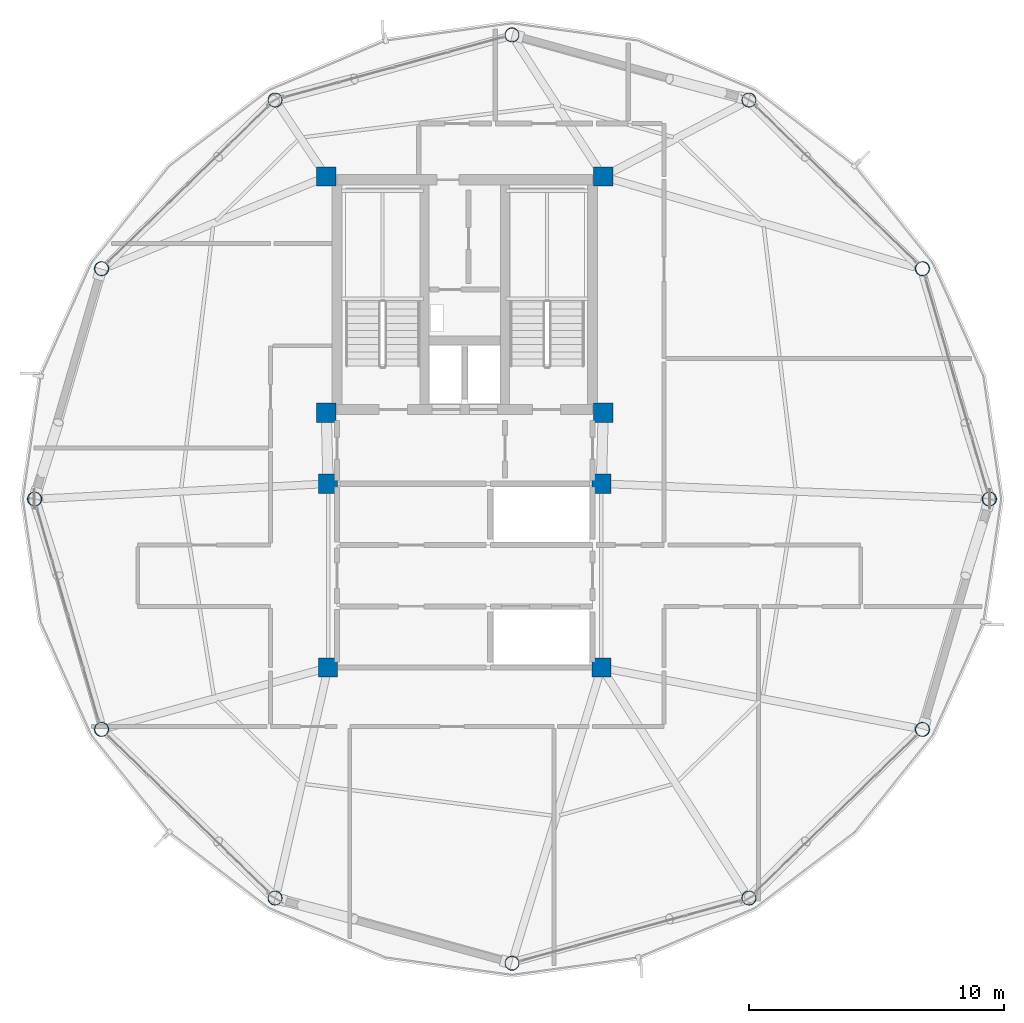
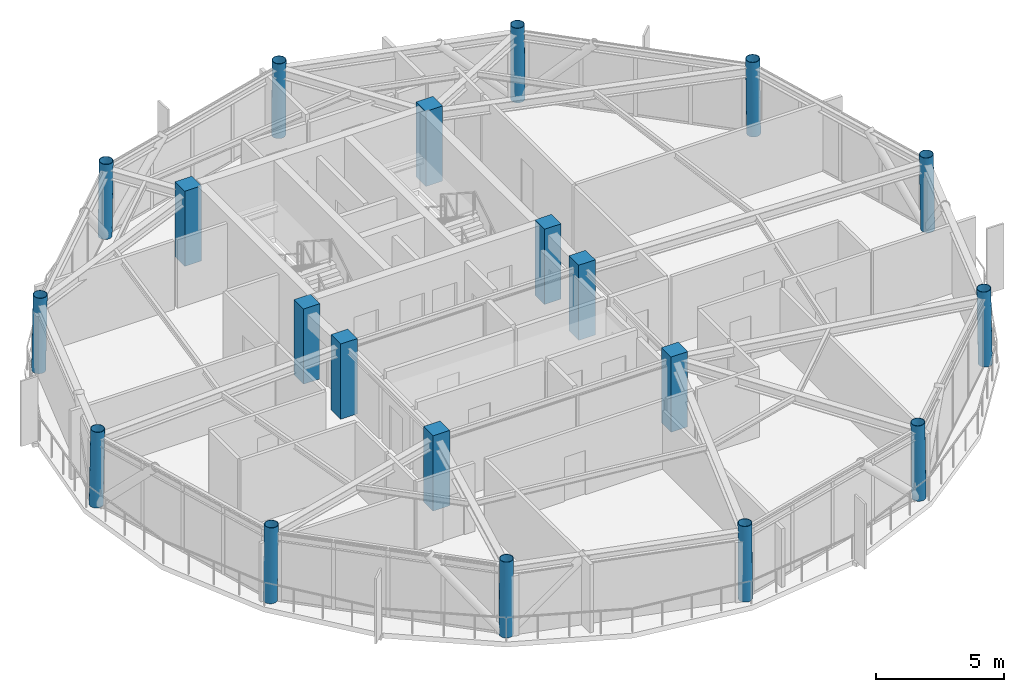
# One storey, part 1 of 28: 20 columns.
"""IFC4 building model written with IfcOpenShell, lengths in metres."""

import ifcopenshell
import ifcopenshell.guid

model = None  # the IFC model being written
_history = None  # IfcOwnerHistory: only IFC2X3 demands one
_inside = {}  # id of a spatial element -> (the spatial element, [elements in it])
_under = {}  # id of a project, library or spatial element -> (it, [spatial elements below it])
_declared = {}  # id of a project -> (the project, [libraries it declares])
_typed = {}  # id of a type object -> (the type object, [elements of that type])
_made_of = {}  # id of a material, layer set ... -> (it, [elements and type objects made of it])


def new_model(schema):
    """Start an empty IFC model of exactly this schema.

    Asked for "IFC4X3", IfcOpenShell would pick the latest addendum, in which some entities
    have other attributes; the version numbers below select the first issue.
    IFC2X3 requires an IfcOwnerHistory on every rooted entity: one is made here for all.
    """
    global model, _history
    if schema == "IFC4X3":
        model = ifcopenshell.file(schema_version=(4, 3, 0, 0))
    else:
        model = ifcopenshell.file(schema=schema)
    _inside.clear()
    _under.clear()
    _declared.clear()
    _typed.clear()
    _made_of.clear()
    _history = None
    if model.schema == "IFC2X3":
        org = make("IfcOrganization", Name="unknown")
        user = make(
            "IfcPersonAndOrganization",
            ThePerson=make("IfcPerson", FamilyName="unknown"),
            TheOrganization=org,
        )
        app = make(
            "IfcApplication",
            ApplicationDeveloper=org,
            Version="unknown",
            ApplicationFullName="unknown",
            ApplicationIdentifier="unknown",
        )
        _history = make(
            "IfcOwnerHistory",
            OwningUser=user,
            OwningApplication=app,
            ChangeAction="ADDED",
            CreationDate=0,
        )
    return model


def make(cls, **values):
    """One entity of the class cls with the attributes given. An attribute that is None is left unset."""
    return model.create_entity(
        cls, **{name: value for name, value in values.items() if value is not None}
    )


def rooted(cls, **values):
    """An entity with a GlobalId (a new one), such as an element, a storey or a relation."""
    return make(cls, GlobalId=ifcopenshell.guid.new(), OwnerHistory=_history, **values)


def si_unit(unit_type, name, prefix=None):
    """IfcSIUnit, for example si_unit("LENGTHUNIT", "METRE", prefix="MILLI")."""
    return make("IfcSIUnit", UnitType=unit_type, Prefix=prefix, Name=name)


def assignment(units):
    """IfcUnitAssignment: the units of a project."""
    return None if units is None else make("IfcUnitAssignment", Units=units)


def point(xyz):
    """IfcCartesianPoint."""
    return None if xyz is None else make("IfcCartesianPoint", Coordinates=xyz)


def direction(xyz):
    """IfcDirection."""
    return None if xyz is None else make("IfcDirection", DirectionRatios=xyz)


def frame(location, z_axis=None, x_axis=None):
    """IfcAxis2Placement3D, a coordinate frame: its origin and axes. An axis left out is left unset."""
    return make(
        "IfcAxis2Placement3D",
        Location=point(location),
        Axis=direction(z_axis),
        RefDirection=direction(x_axis),
    )


def frame_2d(location, x_axis=None):
    """IfcAxis2Placement2D, a coordinate frame in the plane: its origin and x axis."""
    return make(
        "IfcAxis2Placement2D", Location=point(location), RefDirection=direction(x_axis)
    )


def origin():
    """The frame at (0, 0, 0) with its axes left unset."""
    return frame((0.0, 0.0, 0.0))


def origin_2d():
    """The frame at (0, 0) in the plane with its x axis left unset."""
    return frame_2d((0.0, 0.0))


def place(relative_to, where):
    """IfcLocalPlacement: puts the frame where relative to a parent placement (None: the world)."""
    return make(
        "IfcLocalPlacement", PlacementRelTo=relative_to, RelativePlacement=where
    )


def context(
    kind, dimensions, precision=None, world=None, true_north=None, identifier=None
):
    """IfcGeometricRepresentationContext, for example the 3D "Model" context."""
    return make(
        "IfcGeometricRepresentationContext",
        ContextIdentifier=identifier,
        ContextType=kind,
        CoordinateSpaceDimension=dimensions,
        Precision=precision,
        WorldCoordinateSystem=world,
        TrueNorth=true_north,
    )


def subcontext(parent, identifier, kind, view, scale=None):
    """IfcGeometricRepresentationSubContext, for example "Body" below "Model"."""
    return make(
        "IfcGeometricRepresentationSubContext",
        ContextIdentifier=identifier,
        ContextType=kind,
        ParentContext=parent,
        TargetScale=scale,
        TargetView=view,
    )


def project(units=None, contexts=None):
    """IfcProject with its units and contexts."""
    return rooted(
        "IfcProject",
        Name="project",
        RepresentationContexts=contexts,
        UnitsInContext=assignment(units),
    )


def spatial(cls, under=None, at=None, **own):
    """A site, building, storey or space (cls), placed at a placement, below another one or the project."""
    s = rooted(cls, ObjectPlacement=at, **own)
    if under is not None:
        _under.setdefault(under.id(), (under, []))[1].append(s)
    return s


def profile(cls, at=None, kind="AREA", **sizes):
    """A parametric profile (cls). Its sizes go by their IFC names, for example OverallWidth=200.0."""
    return make(cls, ProfileType=kind, Position=at, **sizes)


def rectangle(**sizes):
    """IfcRectangleProfileDef."""
    return profile("IfcRectangleProfileDef", **sizes)


def hollow_circle(**sizes):
    """IfcCircleHollowProfileDef."""
    return profile("IfcCircleHollowProfileDef", **sizes)


def extrude(swept, where, along, depth):
    """IfcExtrudedAreaSolid: the profile swept, set in the frame where, extruded along a direction by depth."""
    return make(
        "IfcExtrudedAreaSolid",
        SweptArea=swept,
        Position=where,
        ExtrudedDirection=direction(along),
        Depth=depth,
    )


def shape(context_of_items, identifier, shape_type, items):
    """IfcShapeRepresentation: the items that make up one representation, for example the "Body"."""
    return make(
        "IfcShapeRepresentation",
        ContextOfItems=context_of_items,
        RepresentationIdentifier=identifier,
        RepresentationType=shape_type,
        Items=items,
    )


def material(Name=None, Category=None):
    """IfcMaterial."""
    return make("IfcMaterial", Name=Name, Category=Category)


def material_profile(
    of_material, cross_section, Name=None, Category=None, Priority=None
):
    """IfcMaterialProfile: a cross section and its material."""
    return make(
        "IfcMaterialProfile",
        Name=Name,
        Material=of_material,
        Profile=cross_section,
        Priority=Priority,
        Category=Category,
    )


def profile_set(profiles, Name=None, composite=None):
    """IfcMaterialProfileSet."""
    return make(
        "IfcMaterialProfileSet",
        Name=Name,
        MaterialProfiles=profiles,
        CompositeProfile=composite,
    )


def made_of(thing, what):
    """Note that an element or type object is made of a material, layer set ...; save() writes the relation."""
    if what is not None:
        _made_of.setdefault(what.id(), (what, []))[1].append(thing)
    return thing


def type_object(cls, material=None, **own):
    """A type object (cls), such as IfcWallType, which elements share."""
    return made_of(rooted(cls, **own), material)


def element(
    cls,
    number,
    at=None,
    inside=None,
    cuts=None,
    type_object=None,
    material=None,
    context=None,
    identifier="Body",
    shape_type=None,
    held_by="IfcProductDefinitionShape",
    body=None,
    shapes=None,
    **own,
):
    """One element of the class cls, such as IfcWall. Its Tag is "e" and its number.

    at: its placement. inside: the storey or other place that contains it. cuts: it is an
    opening in that element (IfcRelVoidsElement). A single representation is given by context,
    identifier, shape_type and body (its items); several are given by shapes. held_by: the class
    of the entity that holds the representations. save() writes the other relations.
    """
    e = rooted(cls, Tag="e%d" % number, ObjectPlacement=at, **own)
    if body is not None:
        shapes = [shape(context, identifier, shape_type, body)]
    if shapes is not None:
        e.Representation = make(held_by, Representations=shapes)
    if inside is not None:
        _inside.setdefault(inside.id(), (inside, []))[1].append(e)
    if cuts is not None:
        rooted(
            "IfcRelVoidsElement", RelatingBuildingElement=cuts, RelatedOpeningElement=e
        )
    if type_object is not None:
        _typed.setdefault(type_object.id(), (type_object, []))[1].append(e)
    return made_of(e, material)


def aggregate(whole, parts):
    """IfcRelAggregates: a whole, such as a stair, and the parts it consists of."""
    return rooted("IfcRelAggregates", RelatingObject=whole, RelatedObjects=parts)


def save(model, path):
    """Write the relations noted so far, then the file.

    IfcRelAggregates (storeys below a building ...), IfcRelContainedInSpatialStructure (elements
    in a storey), IfcRelDefinesByType, IfcRelAssociatesMaterial and IfcRelDeclares: one each for
    every whole, place, type object, material and project.
    """
    for whole, parts in _under.values():
        aggregate(whole, parts)
    for where, things in _inside.values():
        rooted(
            "IfcRelContainedInSpatialStructure",
            RelatedElements=things,
            RelatingStructure=where,
        )
    for kind, things in _typed.values():
        rooted("IfcRelDefinesByType", RelatedObjects=things, RelatingType=kind)
    for what, things in _made_of.values():
        rooted("IfcRelAssociatesMaterial", RelatedObjects=things, RelatingMaterial=what)
    for by, libraries in _declared.values():
        rooted("IfcRelDeclares", RelatingContext=by, RelatedDefinitions=libraries)
    model.write(path)


model = new_model("IFC4")

# Units and contexts
model_context = context("Model", 3, precision=1e-05, world=origin(), true_north=direction((0.0, 1.0)))
body_context = subcontext(model_context, "Body", "Model", "MODEL_VIEW")
ifc_project = project(units=[si_unit("LENGTHUNIT", "METRE"), si_unit("AREAUNIT", "SQUARE_METRE"), si_unit("VOLUMEUNIT", "CUBIC_METRE"), si_unit("PLANEANGLEUNIT", "RADIAN"), si_unit("MASSUNIT", "GRAM", prefix="KILO")], contexts=[model_context])

# Site, building, storey
site_placement = place(None, origin())
site = spatial("IfcSite", under=ifc_project, at=site_placement, CompositionType="ELEMENT")
building_placement = place(site_placement, origin())
building = spatial("IfcBuilding", under=site, at=building_placement, Name="Varnakorn Sky Granary", CompositionType="ELEMENT")
storey_placement = place(building_placement, frame((0.0, 0.0, 236.39990234375)))
storey = spatial("IfcBuildingStorey", under=building, at=storey_placement, Name="L60", CompositionType="ELEMENT", Elevation=236.39990234375)

# Columns
ifc_material_1 = material(Name="Steel S460M", Category="steel")
ifc_material_profile_1 = material_profile(ifc_material_1, hollow_circle(Radius=0.279541015625, WallThickness=0.02001953125, at=origin_2d()), Name="CHS 559x20")
ifc_profile_set_1 = profile_set([ifc_material_profile_1], Name="Steel S460M")
column_type_1 = type_object("IfcColumnType", Name="COL-DC-Z5", PredefinedType="COLUMN", material=ifc_profile_set_1)
column_1_placement = place(storey_placement, frame((23.548095703125, 0.0, 0.0), z_axis=(-0.018775711774, 0.0, 0.999823720787), x_axis=(0.0, -1.0, 0.0)))
element("IfcColumn", 1, at=column_1_placement, inside=storey, type_object=column_type_1, Name="Drum Perimeter Column DC01 L60", PredefinedType="COLUMN", context=body_context, shape_type="SweptSolid", body=[
    extrude(hollow_circle(Radius=0.279541015625, WallThickness=0.02001953125, at=origin_2d()), origin(), (0.0, 0.0, 1.0), 3.575927734375),
])
column_2_placement = place(storey_placement, frame((20.926025390625, 9.01953125, 0.0), z_axis=(-0.016250058425, -0.004779428949, 0.999856536039), x_axis=(0.282166323992, -0.959365501571, 0.0)))
element("IfcColumn", 2, at=column_2_placement, inside=storey, type_object=column_type_1, Name="Drum Perimeter Column DC02 L60", PredefinedType="COLUMN", context=body_context, shape_type="SweptSolid", body=[
    extrude(hollow_circle(Radius=0.279541015625, WallThickness=0.02001953125, at=origin_2d()), origin(), (0.0, 0.0, 1.0), 3.57568359375),
])
for number, where, z_axis, x_axis, name in (
    (3, (14.131591796875, 15.622314453125, 0.0), (-0.009422914699, -0.008262120859, 0.999921469935), (0.659275739368, -0.75190125647, 0.0), "Drum Perimeter Column DC03 L60"),
    (4, (4.85009765625, 18.174072265625, 0.0), (0.0, -0.009559792583, 0.999954304139), (1.0, 0.0, 0.0), "Drum Perimeter Column DC04 L60"),
    (5, (-4.431396484375, 15.622314453125, 0.0), (0.009354638705, -0.008262126156, 0.99992211097), (0.661983450847, 0.749518452612, 0.0), "Drum Perimeter Column DC05 L60"),
):
    element("IfcColumn", number, at=place(storey_placement, frame(where, z_axis=z_axis, x_axis=x_axis)), inside=storey, type_object=column_type_1, Name=name, PredefinedType="COLUMN", context=body_context, shape_type="SweptSolid", body=[
        extrude(hollow_circle(Radius=0.279541015625, WallThickness=0.02001953125, at=origin_2d()), origin(), (0.0, 0.0, 1.0), 3.575439453125),
    ])
column_3_placement = place(storey_placement, frame((-11.22607421875, 9.01953125, 0.0), z_axis=(0.016250058425, -0.004779428949, 0.999856536039), x_axis=(0.282166323992, 0.959365501571, 0.0)))
element("IfcColumn", 6, at=column_3_placement, inside=storey, type_object=column_type_1, Name="Drum Perimeter Column DC06 L60", PredefinedType="COLUMN", context=body_context, shape_type="SweptSolid", body=[
    extrude(hollow_circle(Radius=0.279541015625, WallThickness=0.02001953125, at=origin_2d()), origin(), (0.0, 0.0, 1.0), 3.57568359375),
])
column_4_placement = place(storey_placement, frame((-13.847900390625, 0.0, 0.0), z_axis=(0.018707460396, 0.0, 0.99982500015), x_axis=(0.0, 1.0, 0.0)))
element("IfcColumn", 7, at=column_4_placement, inside=storey, type_object=column_type_1, Name="Drum Perimeter Column DC07 L60", PredefinedType="COLUMN", context=body_context, shape_type="SweptSolid", body=[
    extrude(hollow_circle(Radius=0.279541015625, WallThickness=0.02001953125, at=origin_2d()), origin(), (0.0, 0.0, 1.0), 3.575927734375),
])
column_5_placement = place(storey_placement, frame((-11.22607421875, -9.01953125, 0.0), z_axis=(0.016250058425, 0.004779428949, 0.999856536039), x_axis=(-0.282166323992, 0.959365501571, 0.0)))
element("IfcColumn", 8, at=column_5_placement, inside=storey, type_object=column_type_1, Name="Drum Perimeter Column DC08 L60", PredefinedType="COLUMN", context=body_context, shape_type="SweptSolid", body=[
    extrude(hollow_circle(Radius=0.279541015625, WallThickness=0.02001953125, at=origin_2d()), origin(), (0.0, 0.0, 1.0), 3.57568359375),
])
for number, where, z_axis, x_axis, name in (
    (9, (-4.431396484375, -15.622314453125, 0.0), (0.009354638705, 0.008262126156, 0.99992211097), (-0.661983450847, 0.749518452612, 0.0), "Drum Perimeter Column DC09 L60"),
    (10, (4.85009765625, -18.174072265625, 0.0), (0.0, 0.009559792583, 0.999954304139), (-1.0, 0.0, 0.0), "Drum Perimeter Column DC10 L60"),
    (11, (14.131591796875, -15.622314453125, 0.0), (-0.009422914699, 0.008262120859, 0.999921469935), (-0.659275739368, -0.75190125647, 0.0), "Drum Perimeter Column DC11 L60"),
):
    element("IfcColumn", number, at=place(storey_placement, frame(where, z_axis=z_axis, x_axis=x_axis)), inside=storey, type_object=column_type_1, Name=name, PredefinedType="COLUMN", context=body_context, shape_type="SweptSolid", body=[
        extrude(hollow_circle(Radius=0.279541015625, WallThickness=0.02001953125, at=origin_2d()), origin(), (0.0, 0.0, 1.0), 3.575439453125),
    ])
column_6_placement = place(storey_placement, frame((20.926025390625, -9.01953125, 0.0), z_axis=(-0.016250058425, 0.004779428949, 0.999856536039), x_axis=(-0.282166323992, -0.959365501571, 0.0)))
element("IfcColumn", 12, at=column_6_placement, inside=storey, type_object=column_type_1, Name="Drum Perimeter Column DC12 L60", PredefinedType="COLUMN", context=body_context, shape_type="SweptSolid", body=[
    extrude(hollow_circle(Radius=0.279541015625, WallThickness=0.02001953125, at=origin_2d()), origin(), (0.0, 0.0, 1.0), 3.57568359375),
])
ifc_material_2 = material(Name="Concrete C50/60", Category="concrete")
ifc_material_profile_2 = material_profile(ifc_material_2, rectangle(XDim=0.75, YDim=0.75, at=origin_2d()), Name="RC 750x750")
ifc_profile_set_2 = profile_set([ifc_material_profile_2], Name="Concrete C50/60")
column_type_2 = type_object("IfcColumnType", Name="COL-MC-Z5", PredefinedType="COLUMN", material=ifc_profile_set_2)
for number, where, z_axis, x_axis, name in (
    (13, (-2.419921875, 12.6201171875, 0.0), (0.0, 0.0, 1.0), (1.0, 0.0, 0.0), "Backbone Mega-Column MC1 L60"),
    (14, (8.419921875, 12.6201171875, 0.0), (0.0, 0.0, 1.0), (1.0, 0.0, 0.0), "Backbone Mega-Column MC2 L60"),
    (15, (-2.419921875, 3.3798828125, 0.0), (0.0, 0.0, 1.0), (1.0, 0.0, 0.0), "Backbone Mega-Column MC3 L60"),
    (16, (8.419921875, 3.3798828125, 0.0), (0.0, 0.0, 1.0), (1.0, 0.0, 0.0), "Backbone Mega-Column MC4 L60"),
    (17, (-2.35009765625, 0.60009765625, 0.0), (0.0, 0.0, 1.0), (1.0, 0.0, 0.0), "Backbone Mega-Column MC5 L60"),
    (18, (8.35009765625, 0.60009765625, 0.0), (0.0, 0.0, 1.0), (1.0, 0.0, 0.0), "Backbone Mega-Column MC6 L60"),
    (19, (-2.35009765625, -6.60009765625, 0.0), (0.0, 0.0, 1.0), (1.0, 0.0, 0.0), "Backbone Mega-Column MC7 L60"),
    (20, (8.35009765625, -6.60009765625, 0.0), (0.0, 0.0, 1.0), (1.0, 0.0, 0.0), "Backbone Mega-Column MC8 L60"),
):
    element("IfcColumn", number, at=place(storey_placement, frame(where, z_axis=z_axis, x_axis=x_axis)), inside=storey, type_object=column_type_2, Name=name, PredefinedType="COLUMN", context=body_context, shape_type="SweptSolid", body=[
        extrude(rectangle(XDim=0.75, YDim=0.75, at=origin_2d()), origin(), (0.0, 0.0, 1.0), 3.5751953125),
    ])

save(model, "model.ifc")
